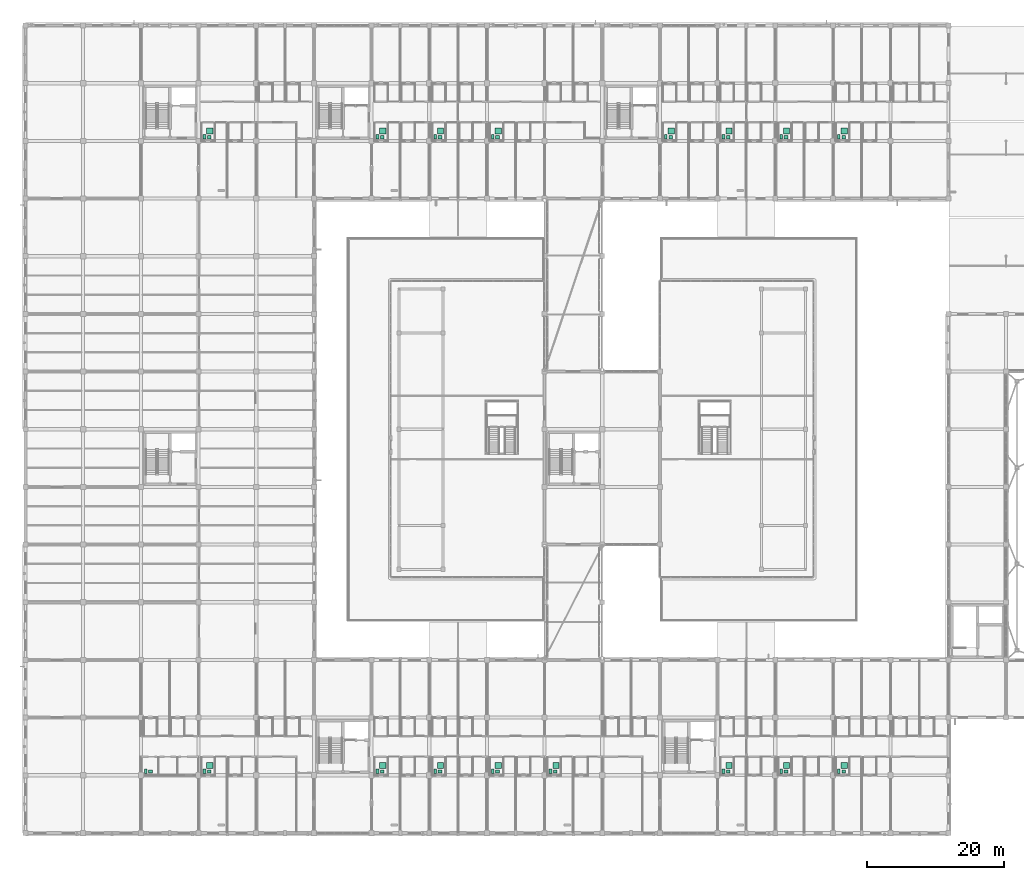
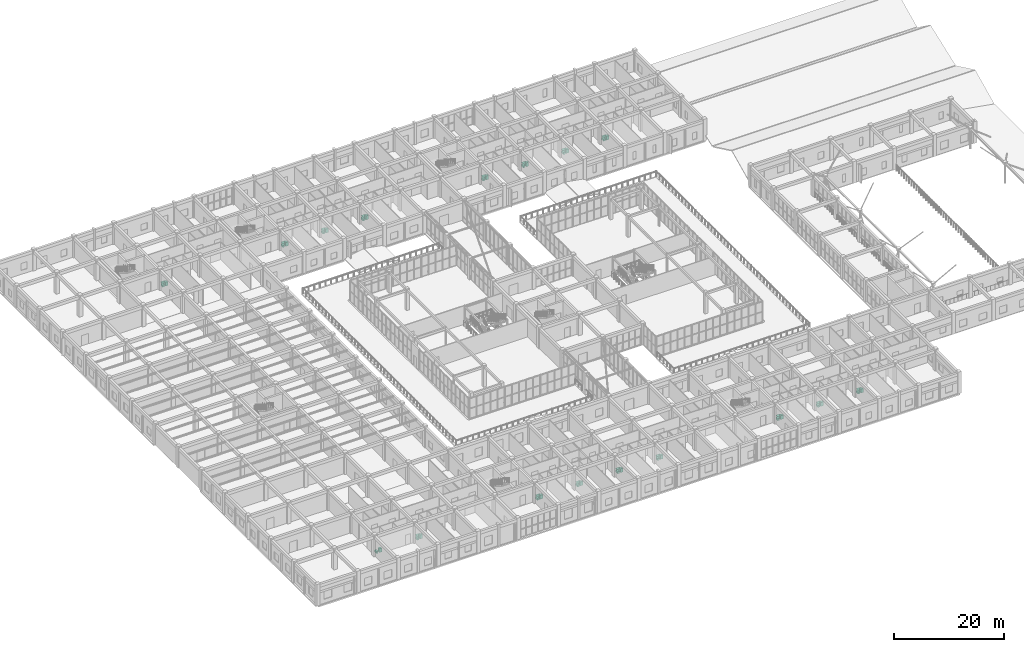
# One storey, part 158 of 158: 50 sanitary terminals.
"""IFC4 building model written with IfcOpenShell, lengths in metres."""

from ifc_helpers import new_model, si_unit, direction, frame, origin, origin_2d, place, context, subcontext, project, spatial, rectangle, extrude, material, type_object, element, save


model = new_model("IFC4")

# Units and contexts
model_context = context("Model", 3, precision=1e-05, world=origin(), true_north=direction((0.0, 1.0)))
body_context = subcontext(model_context, "Body", "Model", "MODEL_VIEW")
ifc_project = project(units=[si_unit("LENGTHUNIT", "METRE"), si_unit("AREAUNIT", "SQUARE_METRE"), si_unit("VOLUMEUNIT", "CUBIC_METRE"), si_unit("PLANEANGLEUNIT", "RADIAN"), si_unit("MASSUNIT", "GRAM", prefix="KILO")], contexts=[model_context])

# Site, building, storey
site_placement = place(None, origin())
site = spatial("IfcSite", under=ifc_project, at=site_placement, CompositionType="ELEMENT")
building_placement = place(site_placement, origin())
building = spatial("IfcBuilding", under=site, at=building_placement, Name="Trelvath General Hospital", CompositionType="ELEMENT")
storey_placement = place(building_placement, frame((0.0, 0.0, 8.10009765625)))
storey = spatial("IfcBuildingStorey", under=building, at=storey_placement, Name="L02", CompositionType="ELEMENT", Elevation=8.10009765625)

# Sanitary terminals
ifc_material_1 = material(Name="Sanitary glazed porcelain")
sanitary_terminal_type_1 = type_object("IfcSanitaryTerminalType", Name="Sanitary Basin", PredefinedType="WASHHANDBASIN", material=ifc_material_1)
for number, where, z_axis, x_axis, name in (
    (1, (18.219970703125, 8.93994140625, -0.000244140625), (0.0, 0.0, 1.0), (1.0, 0.0, 0.0), "Pedestal Washbasin FIT-L02-V6-AWC-2"),
    (2, (26.760009765625, 8.929931640625, -0.000244140625), (0.0, 0.0, 1.0), (1.0, 0.0, 0.0), "Pedestal Washbasin FIT-L02-V6-3-W"),
    (3, (51.9599609375, 8.929931640625, -0.000244140625), (0.0, 0.0, 1.0), (1.0, 0.0, 0.0), "Pedestal Washbasin FIT-L02-V6-6-W"),
    (4, (60.360107421875, 8.929931640625, -0.000244140625), (0.0, 0.0, 1.0), (1.0, 0.0, 0.0), "Pedestal Washbasin FIT-L02-V6-7-W"),
    (5, (68.760009765625, 8.929931640625, -0.000244140625), (0.0, 0.0, 1.0), (1.0, 0.0, 0.0), "Pedestal Washbasin FIT-L02-V6-8-W"),
    (6, (77.159912109375, 8.929931640625, -0.000244140625), (0.0, 0.0, 1.0), (1.0, 0.0, 0.0), "Pedestal Washbasin FIT-L02-V6-9-W"),
    (7, (102.360107421875, 8.929931640625, -0.000244140625), (0.0, 0.0, 1.0), (1.0, 0.0, 0.0), "Pedestal Washbasin FIT-L02-V6-12-W"),
    (8, (110.760009765625, 8.929931640625, -0.000244140625), (0.0, 0.0, 1.0), (1.0, 0.0, 0.0), "Pedestal Washbasin FIT-L02-V6-13-W"),
    (9, (119.159912109375, 8.929931640625, -0.000244140625), (0.0, 0.0, 1.0), (1.0, 0.0, 0.0), "Pedestal Washbasin FIT-L02-V6-14-W"),
    (10, (26.760009765625, 101.330078125, -0.000244140625), (0.0, 0.0, 1.0), (1.0, 0.0, 0.0), "Pedestal Washbasin FIT-L02-V5-3-W"),
    (11, (51.9599609375, 101.330078125, -0.000244140625), (0.0, 0.0, 1.0), (1.0, 0.0, 0.0), "Pedestal Washbasin FIT-L02-V5-6-W"),
    (12, (60.360107421875, 101.330078125, -0.000244140625), (0.0, 0.0, 1.0), (1.0, 0.0, 0.0), "Pedestal Washbasin FIT-L02-V5-7-W"),
    (13, (68.760009765625, 101.330078125, -0.000244140625), (0.0, 0.0, 1.0), (1.0, 0.0, 0.0), "Pedestal Washbasin FIT-L02-V5-8-W"),
    (14, (93.9599609375, 101.330078125, -0.000244140625), (0.0, 0.0, 1.0), (1.0, 0.0, 0.0), "Pedestal Washbasin FIT-L02-V5-11-W"),
    (15, (102.360107421875, 101.330078125, -0.000244140625), (0.0, 0.0, 1.0), (1.0, 0.0, 0.0), "Pedestal Washbasin FIT-L02-V5-12-W"),
    (16, (110.760009765625, 101.330078125, -0.000244140625), (0.0, 0.0, 1.0), (1.0, 0.0, 0.0), "Pedestal Washbasin FIT-L02-V5-13-W"),
    (17, (119.159912109375, 101.330078125, -0.000244140625), (0.0, 0.0, 1.0), (1.0, 0.0, 0.0), "Pedestal Washbasin FIT-L02-V5-14-W"),
):
    element("IfcSanitaryTerminal", number, at=place(storey_placement, frame(where, z_axis=z_axis, x_axis=x_axis)), inside=storey, type_object=sanitary_terminal_type_1, Name=name, PredefinedType="WASHHANDBASIN", context=body_context, shape_type="SweptSolid", body=[
        extrude(rectangle(XDim=0.550048828125, YDim=0.449951171875, at=origin_2d()), origin(), (0.0, 0.0, 1.0), 0.85009765625),
    ])
ifc_material_2 = material(Name="Sanitary glazed porcelain")
sanitary_terminal_type_2 = type_object("IfcSanitaryTerminalType", Name="Sanitary Shower", PredefinedType="SHOWER", material=ifc_material_2)
for number, where, z_axis, x_axis, name in (
    (18, (26.840087890625, 9.840087890625, -0.000244140625), (0.0, 0.0, 1.0), (1.0, 0.0, 0.0), "Roll-in Shower FIT-L02-V6-3-W"),
    (19, (52.0400390625, 9.840087890625, -0.000244140625), (0.0, 0.0, 1.0), (1.0, 0.0, 0.0), "Roll-in Shower FIT-L02-V6-6-W"),
    (20, (60.43994140625, 9.840087890625, -0.000244140625), (0.0, 0.0, 1.0), (1.0, 0.0, 0.0), "Roll-in Shower FIT-L02-V6-7-W"),
    (21, (68.840087890625, 9.840087890625, -0.000244140625), (0.0, 0.0, 1.0), (1.0, 0.0, 0.0), "Roll-in Shower FIT-L02-V6-8-W"),
    (22, (77.239990234375, 9.840087890625, -0.000244140625), (0.0, 0.0, 1.0), (1.0, 0.0, 0.0), "Roll-in Shower FIT-L02-V6-9-W"),
    (23, (102.43994140625, 9.840087890625, -0.000244140625), (0.0, 0.0, 1.0), (1.0, 0.0, 0.0), "Roll-in Shower FIT-L02-V6-12-W"),
    (24, (110.840087890625, 9.840087890625, -0.000244140625), (0.0, 0.0, 1.0), (1.0, 0.0, 0.0), "Roll-in Shower FIT-L02-V6-13-W"),
    (25, (119.239990234375, 9.840087890625, -0.000244140625), (0.0, 0.0, 1.0), (1.0, 0.0, 0.0), "Roll-in Shower FIT-L02-V6-14-W"),
    (26, (26.840087890625, 102.239990234375, -0.000244140625), (0.0, 0.0, 1.0), (1.0, 0.0, 0.0), "Roll-in Shower FIT-L02-V5-3-W"),
    (27, (52.0400390625, 102.239990234375, -0.000244140625), (0.0, 0.0, 1.0), (1.0, 0.0, 0.0), "Roll-in Shower FIT-L02-V5-6-W"),
    (28, (60.43994140625, 102.239990234375, -0.000244140625), (0.0, 0.0, 1.0), (1.0, 0.0, 0.0), "Roll-in Shower FIT-L02-V5-7-W"),
    (29, (68.840087890625, 102.239990234375, -0.000244140625), (0.0, 0.0, 1.0), (1.0, 0.0, 0.0), "Roll-in Shower FIT-L02-V5-8-W"),
    (30, (94.0400390625, 102.239990234375, -0.000244140625), (0.0, 0.0, 1.0), (1.0, 0.0, 0.0), "Roll-in Shower FIT-L02-V5-11-W"),
    (31, (102.43994140625, 102.239990234375, -0.000244140625), (0.0, 0.0, 1.0), (1.0, 0.0, 0.0), "Roll-in Shower FIT-L02-V5-12-W"),
    (32, (110.840087890625, 102.239990234375, -0.000244140625), (0.0, 0.0, 1.0), (1.0, 0.0, 0.0), "Roll-in Shower FIT-L02-V5-13-W"),
    (33, (119.239990234375, 102.239990234375, -0.000244140625), (0.0, 0.0, 1.0), (1.0, 0.0, 0.0), "Roll-in Shower FIT-L02-V5-14-W"),
):
    element("IfcSanitaryTerminal", number, at=place(storey_placement, frame(where, z_axis=z_axis, x_axis=x_axis)), inside=storey, type_object=sanitary_terminal_type_2, Name=name, PredefinedType="SHOWER", context=body_context, shape_type="SweptSolid", body=[
        extrude(rectangle(XDim=0.89990234375, YDim=0.89990234375, at=origin_2d()), origin(), (0.0, 0.0, 1.0), 0.080078125),
    ])
ifc_material_3 = material(Name="Sanitary glazed porcelain")
sanitary_terminal_type_3 = type_object("IfcSanitaryTerminalType", Name="Sanitary WC", PredefinedType="TOILETPAN", material=ifc_material_3)
for number, where, z_axis, x_axis, name in (
    (34, (17.52001953125, 8.97998046875, 0.0), (0.0, 0.0, 1.0), (1.0, 0.0, 0.0), "WC Pan FIT-L02-V6-AWC-2"),
    (35, (26.06005859375, 8.969970703125, 0.0), (0.0, 0.0, 1.0), (1.0, 0.0, 0.0), "WC Pan FIT-L02-V6-3-W"),
    (36, (51.260009765625, 8.969970703125, 0.0), (0.0, 0.0, 1.0), (1.0, 0.0, 0.0), "WC Pan FIT-L02-V6-6-W"),
    (37, (59.659912109375, 8.969970703125, 0.0), (0.0, 0.0, 1.0), (1.0, 0.0, 0.0), "WC Pan FIT-L02-V6-7-W"),
    (38, (68.06005859375, 8.969970703125, 0.0), (0.0, 0.0, 1.0), (1.0, 0.0, 0.0), "WC Pan FIT-L02-V6-8-W"),
    (39, (76.4599609375, 8.969970703125, 0.0), (0.0, 0.0, 1.0), (1.0, 0.0, 0.0), "WC Pan FIT-L02-V6-9-W"),
    (40, (101.659912109375, 8.969970703125, 0.0), (0.0, 0.0, 1.0), (1.0, 0.0, 0.0), "WC Pan FIT-L02-V6-12-W"),
    (41, (110.06005859375, 8.969970703125, 0.0), (0.0, 0.0, 1.0), (1.0, 0.0, 0.0), "WC Pan FIT-L02-V6-13-W"),
    (42, (118.4599609375, 8.969970703125, 0.0), (0.0, 0.0, 1.0), (1.0, 0.0, 0.0), "WC Pan FIT-L02-V6-14-W"),
    (43, (26.06005859375, 101.3701171875, 0.0), (0.0, 0.0, 1.0), (1.0, 0.0, 0.0), "WC Pan FIT-L02-V5-3-W"),
    (44, (51.260009765625, 101.3701171875, 0.0), (0.0, 0.0, 1.0), (1.0, 0.0, 0.0), "WC Pan FIT-L02-V5-6-W"),
    (45, (59.659912109375, 101.3701171875, 0.0), (0.0, 0.0, 1.0), (1.0, 0.0, 0.0), "WC Pan FIT-L02-V5-7-W"),
    (46, (68.06005859375, 101.3701171875, 0.0), (0.0, 0.0, 1.0), (1.0, 0.0, 0.0), "WC Pan FIT-L02-V5-8-W"),
    (47, (93.260009765625, 101.3701171875, 0.0), (0.0, 0.0, 1.0), (1.0, 0.0, 0.0), "WC Pan FIT-L02-V5-11-W"),
    (48, (101.659912109375, 101.3701171875, 0.0), (0.0, 0.0, 1.0), (1.0, 0.0, 0.0), "WC Pan FIT-L02-V5-12-W"),
    (49, (110.06005859375, 101.3701171875, 0.0), (0.0, 0.0, 1.0), (1.0, 0.0, 0.0), "WC Pan FIT-L02-V5-13-W"),
    (50, (118.4599609375, 101.3701171875, 0.0), (0.0, 0.0, 1.0), (1.0, 0.0, 0.0), "WC Pan FIT-L02-V5-14-W"),
):
    element("IfcSanitaryTerminal", number, at=place(storey_placement, frame(where, z_axis=z_axis, x_axis=x_axis)), inside=storey, type_object=sanitary_terminal_type_3, Name=name, PredefinedType="TOILETPAN", context=body_context, shape_type="SweptSolid", body=[
        extrude(rectangle(XDim=0.39990234375, YDim=0.64990234375, at=origin_2d()), origin(), (0.0, 0.0, 1.0), 0.449951171875),
    ])

save(model, "model.ifc")
